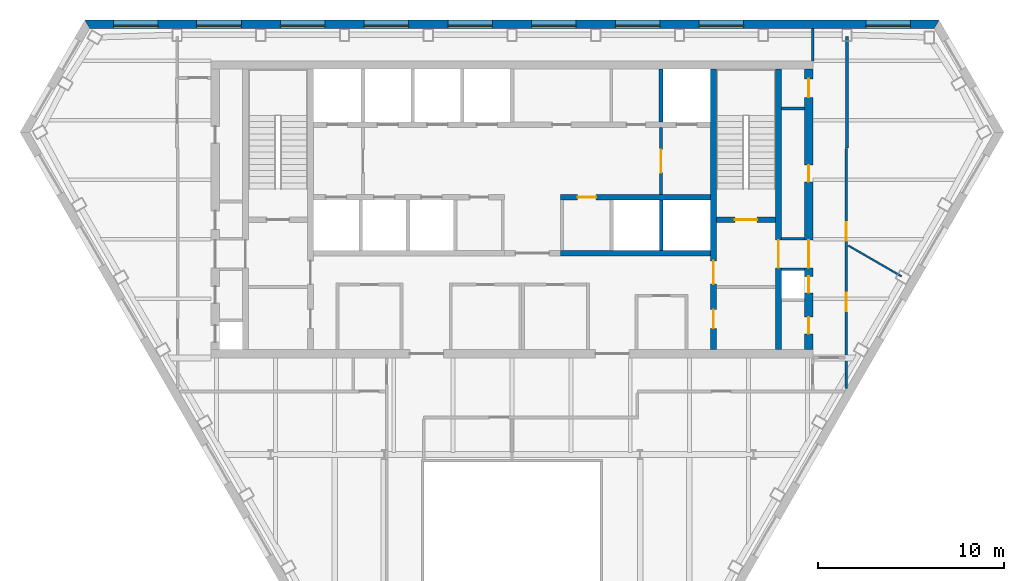
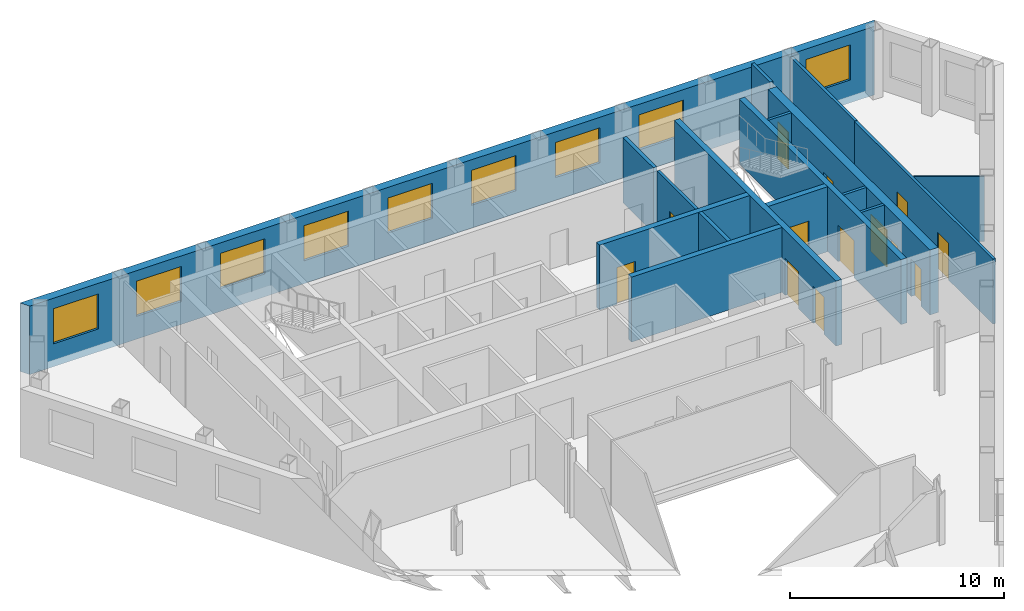
# One storey, part 7 of 11: 17 walls, 13 doors, 9 windows, 22 openings.
"""IFC4 building model written with IfcOpenShell, lengths in metres."""

from ifc_helpers import new_model, si_unit, direction, frame, frame_2d, origin, place, context, subcontext, project, spatial, polyline, rectangle, outline, extrude, material, layer, layer_set, type_object, element, fill, save


model = new_model("IFC4")

# Units and contexts
model_context = context("Model", 3, precision=1e-05, world=origin(), true_north=direction((0.0, 1.0)))
body_context = subcontext(model_context, "Body", "Model", "MODEL_VIEW")
ifc_project = project(units=[si_unit("LENGTHUNIT", "METRE"), si_unit("AREAUNIT", "SQUARE_METRE"), si_unit("VOLUMEUNIT", "CUBIC_METRE"), si_unit("PLANEANGLEUNIT", "RADIAN"), si_unit("MASSUNIT", "GRAM", prefix="KILO")], contexts=[model_context])

# Site, building, storey
site_placement = place(None, origin())
site = spatial("IfcSite", under=ifc_project, at=site_placement, CompositionType="ELEMENT")
building_placement = place(site_placement, origin())
building = spatial("IfcBuilding", under=site, at=building_placement, Name="Njiva Tower", CompositionType="ELEMENT")
storey_placement = place(building_placement, frame((0.0, 0.0, 219.9)))
storey = spatial("IfcBuildingStorey", under=building, at=storey_placement, Name="L49", CompositionType="ELEMENT", Elevation=219.9)

# Wall
ifc_material_1 = material(Name="Blockwork", Category="masonry")
ifc_layer_1 = layer(ifc_material_1, 0.15)
ifc_layer_set_1 = layer_set([ifc_layer_1], Name="Blockwork")
wall_type_1 = type_object("IfcWallType", Name="WT1 Compartment partition 150", PredefinedType="PARTITIONING", material=ifc_layer_set_1)
wall_1_placement = place(storey_placement, frame((14.5, 15.4331, 0.0), z_axis=(0.0, 0.0, 1.0), x_axis=(1.0, 0.0, 0.0)))
element("IfcWall", 1, at=wall_1_placement, inside=storey, type_object=wall_type_1, Name="Partition strip E10", PredefinedType="PARTITIONING", context=body_context, shape_type="SweptSolid", body=[
    extrude(rectangle(XDim=1.25, YDim=0.15, at=frame_2d((0.625, 0.0))), origin(), (0.0, 0.0, 1.0), 3.7),
])

# Wall, openings, doors
ifc_material_2 = material(Name="Concrete C40/50", Category="concrete")
ifc_layer_2 = layer(ifc_material_2, 0.3)
ifc_layer_set_2 = layer_set([ifc_layer_2], Name="Concrete C40/50")
wall_type_2 = type_object("IfcWallType", Name="WT10 Stair enclosure wall 300", PredefinedType="SHEAR", material=ifc_layer_set_2)
wall_2_placement = place(storey_placement, frame((10.85, 2.45, 0.0), z_axis=(0.0, 0.0, 1.0), x_axis=(0.0, 1.0, 0.0)))
wall_2 = element("IfcWall", 2, at=wall_2_placement, inside=storey, type_object=wall_type_2, Name="Stair wall east inner", PredefinedType="SHEAR", context=body_context, shape_type="SweptSolid", body=[
    extrude(rectangle(XDim=15.1, YDim=0.3, at=frame_2d((7.55, 0.0))), origin(), (0.0, 0.0, 1.0), 3.7),
])
opening_1_placement = place(wall_2_placement, frame((3.525, 0.0, 0.0)))
opening_1 = element("IfcOpeningElement", 3, at=opening_1_placement, cuts=wall_2, Name="Opening S16-D919", PredefinedType="OPENING", context=body_context, shape_type="SweptSolid", body=[
    extrude(rectangle(XDim=1.25, YDim=2.1, at=frame_2d((0.625, 1.05))), frame((0.0, 0.16, 0.0), z_axis=(0.0, -1.0, 0.0), x_axis=(1.0, 0.0, 0.0)), (0.0, 0.0, 1.0), 0.32),
])
opening_2_placement = place(wall_2_placement, frame((1.15, 0.0, 0.0)))
opening_2 = element("IfcOpeningElement", 4, at=opening_2_placement, cuts=wall_2, Name="Opening S16-D920", PredefinedType="OPENING", context=body_context, shape_type="SweptSolid", body=[
    extrude(rectangle(XDim=1.0, YDim=2.1, at=frame_2d((0.5, 1.05))), frame((0.0, 0.16, 0.0), z_axis=(0.0, -1.0, 0.0), x_axis=(1.0, 0.0, 0.0)), (0.0, 0.0, 1.0), 0.32),
])
ifc_material_3 = material(Name="Steel door, painted", Category="steel")
door_type_1 = type_object("IfcDoorType", Name="D5 Steel door 1000x2100", OperationType="SINGLE_SWING_LEFT", PredefinedType="DOOR", material=ifc_material_3)
door_1_placement = place(opening_2_placement, origin())
door_1 = element("IfcDoor", 5, at=door_1_placement, inside=storey, type_object=door_type_1, Name="Reading room door", OperationType="SINGLE_SWING_LEFT", OverallHeight=2.1, OverallWidth=1.0, PredefinedType="DOOR", context=body_context, shape_type="SweptSolid", body=[
    extrude(rectangle(XDim=1.0, YDim=2.1, at=frame_2d((0.5, 1.05))), frame((0.0, 0.025, 0.0), z_axis=(0.0, -1.0, 0.0), x_axis=(1.0, 0.0, 0.0)), (0.0, 0.0, 1.0), 0.05),
])
fill(opening_2, door_1)
ifc_material_4 = material(Name="Glazed steel fire door", Category="steel")
door_type_2 = type_object("IfcDoorType", Name="D8 Vestibule corridor door 1250x2100 glazed", OperationType="SINGLE_SWING_LEFT", PredefinedType="DOOR", material=ifc_material_4)
door_2_placement = place(opening_1_placement, origin())
door_2 = element("IfcDoor", 6, at=door_2_placement, inside=storey, type_object=door_type_2, Name="Stair vestibule corridor door", OperationType="SINGLE_SWING_RIGHT", OverallHeight=2.1, OverallWidth=1.25, PredefinedType="DOOR", context=body_context, shape_type="SweptSolid", body=[
    extrude(rectangle(XDim=1.25, YDim=2.1, at=frame_2d((0.625, 1.05))), frame((0.0, 0.025, 0.0), z_axis=(0.0, -1.0, 0.0), x_axis=(1.0, 0.0, 0.0)), (0.0, 0.0, 1.0), 0.05),
])
fill(opening_1, door_2)

# Wall, opening, door
wall_3_placement = place(storey_placement, frame((14.35, 2.45, 0.0), z_axis=(0.0, 0.0, 1.0), x_axis=(0.0, 1.0, 0.0)))
wall_3 = element("IfcWall", 7, at=wall_3_placement, inside=storey, type_object=wall_type_2, Name="Stair wall east outer", PredefinedType="SHEAR", context=body_context, shape_type="SweptSolid", body=[
    extrude(rectangle(XDim=15.1, YDim=0.3, at=frame_2d((7.55, 0.0))), origin(), (0.0, 0.0, 1.0), 3.7),
])
opening_3_placement = place(wall_3_placement, frame((4.4, 0.0, 0.0)))
opening_3 = element("IfcOpeningElement", 8, at=opening_3_placement, cuts=wall_3, Name="Opening S16-D927", PredefinedType="OPENING", context=body_context, shape_type="SweptSolid", body=[
    extrude(rectangle(XDim=1.5, YDim=2.1, at=frame_2d((0.75, 1.05))), frame((0.0, 0.16, 0.0), z_axis=(0.0, -1.0, 0.0), x_axis=(1.0, 0.0, 0.0)), (0.0, 0.0, 1.0), 0.32),
])
door_type_3 = type_object("IfcDoorType", Name="D10 Exit door double 1500x2100 glazed", OperationType="DOUBLE_DOOR_SINGLE_SWING", PredefinedType="DOOR", material=ifc_material_4)
door_3_placement = place(opening_3_placement, origin())
door_3 = element("IfcDoor", 9, at=door_3_placement, inside=storey, type_object=door_type_3, Name="Stair B passage door", OperationType="DOUBLE_DOOR_SINGLE_SWING", OverallHeight=2.1, OverallWidth=1.5, PredefinedType="DOOR", context=body_context, shape_type="SweptSolid", body=[
    extrude(rectangle(XDim=1.5, YDim=2.1, at=frame_2d((0.75, 1.05))), frame((0.0, 0.025, 0.0), z_axis=(0.0, -1.0, 0.0), x_axis=(1.0, 0.0, 0.0)), (0.0, 0.0, 1.0), 0.05),
])
fill(opening_3, door_3)

wall_4_placement = place(storey_placement, frame((11.0, 9.45, 0.0), z_axis=(0.0, 0.0, 1.0), x_axis=(1.0, 0.0, 0.0)))
wall_4 = element("IfcWall", 10, at=wall_4_placement, inside=storey, type_object=wall_type_2, Name="Stair B south wall", PredefinedType="SHEAR", context=body_context, shape_type="SweptSolid", body=[
    extrude(rectangle(XDim=3.2, YDim=0.3, at=frame_2d((1.6, 0.0))), origin(), (0.0, 0.0, 1.0), 3.7),
])
opening_4_placement = place(wall_4_placement, frame((1.0, 0.0, 0.0)))
opening_4 = element("IfcOpeningElement", 11, at=opening_4_placement, cuts=wall_4, Name="Opening S16-D918", PredefinedType="OPENING", context=body_context, shape_type="SweptSolid", body=[
    extrude(rectangle(XDim=1.2, YDim=2.1, at=frame_2d((0.6, 1.05))), frame((0.0, 0.16, 0.0), z_axis=(0.0, -1.0, 0.0), x_axis=(1.0, 0.0, 0.0)), (0.0, 0.0, 1.0), 0.32),
])
door_type_4 = type_object("IfcDoorType", Name="D7 Stair vestibule door 1200x2100 glazed", OperationType="SINGLE_SWING_LEFT", PredefinedType="DOOR", material=ifc_material_4)
door_4_placement = place(opening_4_placement, origin())
door_4 = element("IfcDoor", 12, at=door_4_placement, inside=storey, type_object=door_type_4, Name="Stair B door", OperationType="SINGLE_SWING_LEFT", OverallHeight=2.1, OverallWidth=1.2, PredefinedType="DOOR", context=body_context, shape_type="SweptSolid", body=[
    extrude(rectangle(XDim=1.2, YDim=2.1, at=frame_2d((0.6, 1.05))), frame((0.0, 0.025, 0.0), z_axis=(0.0, -1.0, 0.0), x_axis=(1.0, 0.0, 0.0)), (0.0, 0.0, 1.0), 0.05),
])
fill(opening_4, door_4)

# Wall, openings, doors
ifc_material_5 = material(Name="Concrete C60/75", Category="concrete")
ifc_layer_3 = layer(ifc_material_5, 0.45)
ifc_layer_set_3 = layer_set([ifc_layer_3], Name="Concrete C60/75")
wall_type_3 = type_object("IfcWallType", Name="WT12 Core wall 450", PredefinedType="SHEAR", material=ifc_layer_set_3)
wall_5_placement = place(storey_placement, frame((15.975, 2.45, 0.0), z_axis=(0.0, 0.0, 1.0), x_axis=(0.0, 1.0, 0.0)))
wall_5 = element("IfcWall", 13, at=wall_5_placement, inside=storey, type_object=wall_type_3, Name="Core wall east", PredefinedType="SHEAR", context=body_context, shape_type="SweptSolid", body=[
    extrude(rectangle(XDim=15.1, YDim=0.45, at=frame_2d((7.55, 0.0))), origin(), (0.0, 0.0, 1.0), 3.7),
])
opening_5_placement = place(wall_5_placement, frame((4.4, 0.0, 0.0)))
opening_5 = element("IfcOpeningElement", 14, at=opening_5_placement, cuts=wall_5, Name="Opening S16-D928", PredefinedType="OPENING", context=body_context, shape_type="SweptSolid", body=[
    extrude(rectangle(XDim=1.5, YDim=2.1, at=frame_2d((0.75, 1.05))), frame((0.0, 0.235, 0.0), z_axis=(0.0, -1.0, 0.0), x_axis=(1.0, 0.0, 0.0)), (0.0, 0.0, 1.0), 0.47),
])
opening_6_placement = place(wall_5_placement, frame((0.85, 0.0, 0.0)))
opening_6 = element("IfcOpeningElement", 15, at=opening_6_placement, cuts=wall_5, Name="Opening S16-D929", PredefinedType="OPENING", context=body_context, shape_type="SweptSolid", body=[
    extrude(rectangle(XDim=0.9, YDim=2.1, at=frame_2d((0.45, 1.05))), frame((0.0, 0.235, 0.0), z_axis=(0.0, -1.0, 0.0), x_axis=(1.0, 0.0, 0.0)), (0.0, 0.0, 1.0), 0.47),
])
opening_7_placement = place(wall_5_placement, frame((3.05, 0.0, 0.0)))
opening_7 = element("IfcOpeningElement", 16, at=opening_7_placement, cuts=wall_5, Name="Opening S16-D930", PredefinedType="OPENING", context=body_context, shape_type="SweptSolid", body=[
    extrude(rectangle(XDim=0.9, YDim=2.1, at=frame_2d((0.45, 1.05))), frame((0.0, 0.235, 0.0), z_axis=(0.0, -1.0, 0.0), x_axis=(1.0, 0.0, 0.0)), (0.0, 0.0, 1.0), 0.47),
])
opening_8_placement = place(wall_5_placement, frame((9.0291, 0.0, 0.0)))
opening_8 = element("IfcOpeningElement", 17, at=opening_8_placement, cuts=wall_5, Name="Opening S16-D931", PredefinedType="OPENING", context=body_context, shape_type="SweptSolid", body=[
    extrude(rectangle(XDim=0.9, YDim=2.1, at=frame_2d((0.45, 1.05))), frame((0.0, 0.235, 0.0), z_axis=(0.0, -1.0, 0.0), x_axis=(1.0, 0.0, 0.0)), (0.0, 0.0, 1.0), 0.47),
])
opening_9_placement = place(wall_5_placement, frame((13.5791, 0.0, 0.0)))
opening_9 = element("IfcOpeningElement", 18, at=opening_9_placement, cuts=wall_5, Name="Opening S16-D932", PredefinedType="OPENING", context=body_context, shape_type="SweptSolid", body=[
    extrude(rectangle(XDim=1.0, YDim=2.1, at=frame_2d((0.5, 1.05))), frame((0.0, 0.235, 0.0), z_axis=(0.0, -1.0, 0.0), x_axis=(1.0, 0.0, 0.0)), (0.0, 0.0, 1.0), 0.47),
])
door_5_placement = place(opening_5_placement, origin())
door_5 = element("IfcDoor", 19, at=door_5_placement, inside=storey, type_object=door_type_3, Name="Stair B corridor door", OperationType="DOUBLE_DOOR_SINGLE_SWING", OverallHeight=2.1, OverallWidth=1.5, PredefinedType="DOOR", context=body_context, shape_type="SweptSolid", body=[
    extrude(rectangle(XDim=1.5, YDim=2.1, at=frame_2d((0.75, 1.05))), frame((0.0, 0.025, 0.0), z_axis=(0.0, -1.0, 0.0), x_axis=(1.0, 0.0, 0.0)), (0.0, 0.0, 1.0), 0.05),
])
fill(opening_5, door_5)
door_type_5 = type_object("IfcDoorType", Name="D4 Riser door 900x2100", OperationType="SINGLE_SWING_LEFT", PredefinedType="DOOR", material=ifc_material_3)
door_6_placement = place(opening_7_placement, origin())
door_6 = element("IfcDoor", 20, at=door_6_placement, inside=storey, type_object=door_type_5, Name="Cable riser door", OperationType="SINGLE_SWING_LEFT", OverallHeight=2.1, OverallWidth=0.9, PredefinedType="DOOR", context=body_context, shape_type="SweptSolid", body=[
    extrude(rectangle(XDim=0.9, YDim=2.1, at=frame_2d((0.45, 1.05))), frame((0.0, 0.025, 0.0), z_axis=(0.0, -1.0, 0.0), x_axis=(1.0, 0.0, 0.0)), (0.0, 0.0, 1.0), 0.05),
])
fill(opening_7, door_6)
door_7_placement = place(opening_9_placement, origin())
door_7 = element("IfcDoor", 21, at=door_7_placement, inside=storey, type_object=door_type_1, Name="Telecoms room door", OperationType="SINGLE_SWING_RIGHT", OverallHeight=2.1, OverallWidth=1.0, PredefinedType="DOOR", context=body_context, shape_type="SweptSolid", body=[
    extrude(rectangle(XDim=1.0, YDim=2.1, at=frame_2d((0.5, 1.05))), frame((0.0, 0.025, 0.0), z_axis=(0.0, -1.0, 0.0), x_axis=(1.0, 0.0, 0.0)), (0.0, 0.0, 1.0), 0.05),
])
fill(opening_9, door_7)
ifc_material_6 = material(Name="Steel fire door, painted", Category="steel")
door_type_6 = type_object("IfcDoorType", Name="D6 Fire-rated door 900x2100", OperationType="SINGLE_SWING_LEFT", PredefinedType="DOOR", material=ifc_material_6)
door_8_placement = place(opening_6_placement, origin())
door_8 = element("IfcDoor", 22, at=door_8_placement, inside=storey, type_object=door_type_6, Name="Cable store door", OperationType="SINGLE_SWING_LEFT", OverallHeight=2.1, OverallWidth=0.9, PredefinedType="DOOR", context=body_context, shape_type="SweptSolid", body=[
    extrude(rectangle(XDim=0.9, YDim=2.1, at=frame_2d((0.45, 1.05))), frame((0.0, 0.025, 0.0), z_axis=(0.0, -1.0, 0.0), x_axis=(1.0, 0.0, 0.0)), (0.0, 0.0, 1.0), 0.05),
])
fill(opening_6, door_8)
door_9_placement = place(opening_8_placement, origin())
door_9 = element("IfcDoor", 23, at=door_9_placement, inside=storey, type_object=door_type_6, Name="Cable store door", OperationType="SINGLE_SWING_RIGHT", OverallHeight=2.1, OverallWidth=0.9, PredefinedType="DOOR", context=body_context, shape_type="SweptSolid", body=[
    extrude(rectangle(XDim=0.9, YDim=2.1, at=frame_2d((0.45, 1.05))), frame((0.0, 0.025, 0.0), z_axis=(0.0, -1.0, 0.0), x_axis=(1.0, 0.0, 0.0)), (0.0, 0.0, 1.0), 0.05),
])
fill(opening_8, door_9)

# Wall, opening, door
ifc_layer_4 = layer(ifc_material_1, 0.15)
ifc_layer_set_4 = layer_set([ifc_layer_4], Name="Blockwork")
wall_type_4 = type_object("IfcWallType", Name="WT2 Lobby partition 150", PredefinedType="PARTITIONING", material=ifc_layer_set_4)
wall_6_placement = place(storey_placement, frame((8.025, 10.8, 0.0), z_axis=(0.0, 0.0, 1.0), x_axis=(0.0, 1.0, 0.0)))
wall_6 = element("IfcWall", 24, at=wall_6_placement, inside=storey, type_object=wall_type_4, Name="Firefighting lobby wall B", PredefinedType="PARTITIONING", context=body_context, shape_type="SweptSolid", body=[
    extrude(rectangle(XDim=3.6, YDim=0.15, at=frame_2d((1.8, 0.0))), origin(), (0.0, 0.0, 1.0), 3.7),
])
opening_10_placement = place(wall_6_placement, frame((1.175, 0.0, 0.0)))
opening_10 = element("IfcOpeningElement", 25, at=opening_10_placement, cuts=wall_6, Name="Opening S16-D917", PredefinedType="OPENING", context=body_context, shape_type="SweptSolid", body=[
    extrude(rectangle(XDim=1.25, YDim=2.1, at=frame_2d((0.625, 1.05))), frame((0.0, 0.085, 0.0), z_axis=(0.0, -1.0, 0.0), x_axis=(1.0, 0.0, 0.0)), (0.0, 0.0, 1.0), 0.17),
])
door_10_placement = place(opening_10_placement, origin())
door_10 = element("IfcDoor", 26, at=door_10_placement, inside=storey, type_object=door_type_2, Name="Stair vestibule corridor door", OperationType="SINGLE_SWING_LEFT", OverallHeight=2.1, OverallWidth=1.25, PredefinedType="DOOR", context=body_context, shape_type="SweptSolid", body=[
    extrude(rectangle(XDim=1.25, YDim=2.1, at=frame_2d((0.625, 1.05))), frame((0.0, 0.025, 0.0), z_axis=(0.0, -1.0, 0.0), x_axis=(1.0, 0.0, 0.0)), (0.0, 0.0, 1.0), 0.05),
])
fill(opening_10, door_10)

# Walls
ifc_material_7 = material(Name="Gypsum board on steel studs", Category="gypsum")
ifc_layer_5 = layer(ifc_material_7, 0.1)
ifc_layer_set_5 = layer_set([ifc_layer_5], Name="Gypsum board on steel studs")
wall_type_5 = type_object("IfcWallType", Name="WT20 Gypsum partition 100", PredefinedType="PARTITIONING", material=ifc_layer_set_5)
wall_7_placement = place(storey_placement, frame((18.102, 8.056, 0.0), z_axis=(0.0, 0.0, 1.0), x_axis=(0.865934672737, -0.500157117865, 0.0)))
element("IfcWall", 27, at=wall_7_placement, inside=storey, type_object=wall_type_5, Name="Partition S16-P027", PredefinedType="PARTITIONING", context=body_context, shape_type="SweptSolid", body=[
    extrude(rectangle(XDim=3.319, YDim=0.1, at=frame_2d((1.6595, 0.0))), origin(), (0.0, 0.0, 1.0), 3.7),
])
ifc_layer_6 = layer(ifc_material_7, 0.15)
ifc_layer_set_6 = layer_set([ifc_layer_6], Name="Gypsum board on steel studs")
wall_type_6 = type_object("IfcWallType", Name="WT21 Compartment wall 150", PredefinedType="PARTITIONING", material=ifc_layer_set_6)
wall_8_placement = place(storey_placement, frame((16.2, 18.0, 0.0), z_axis=(0.0, 0.0, 1.0), x_axis=(0.0, 1.0, 0.0)))
element("IfcWall", 28, at=wall_8_placement, inside=storey, type_object=wall_type_6, Name="Partition S16-P024", PredefinedType="PARTITIONING", context=body_context, shape_type="SweptSolid", body=[
    extrude(rectangle(XDim=1.75, YDim=0.15, at=frame_2d((0.875, 0.0))), origin(), (0.0, 0.0, 1.0), 3.7),
])

# Wall, openings, doors
wall_9_placement = place(storey_placement, frame((18.001, 0.343, 0.0), z_axis=(0.0, 0.0, 1.0), x_axis=(7.7291699e-05, 0.999999997013, 0.0)))
wall_9 = element("IfcWall", 29, at=wall_9_placement, inside=storey, type_object=wall_type_6, Name="Partition S16-P025", PredefinedType="PARTITIONING", context=body_context, shape_type="SweptSolid", body=[
    extrude(rectangle(XDim=12.938, YDim=0.15, at=frame_2d((6.469, 0.0))), origin(), (0.0, 0.0, 1.0), 3.7),
])
opening_11_placement = place(wall_9_placement, frame((4.163, 0.0, 0.0)))
opening_11 = element("IfcOpeningElement", 30, at=opening_11_placement, cuts=wall_9, Name="Opening S16-D014", PredefinedType="OPENING", context=body_context, shape_type="SweptSolid", body=[
    extrude(rectangle(XDim=1.0, YDim=2.1, at=frame_2d((0.5, 1.05))), frame((0.0, 0.085, 0.0), z_axis=(0.0, -1.0, 0.0), x_axis=(1.0, 0.0, 0.0)), (0.0, 0.0, 1.0), 0.17),
])
opening_12_placement = place(wall_9_placement, frame((7.973, 0.0, 0.0)))
opening_12 = element("IfcOpeningElement", 31, at=opening_12_placement, cuts=wall_9, Name="Opening S16-D015", PredefinedType="OPENING", context=body_context, shape_type="SweptSolid", body=[
    extrude(rectangle(XDim=1.0, YDim=2.1, at=frame_2d((0.5, 1.05))), frame((0.0, 0.085, 0.0), z_axis=(0.0, -1.0, 0.0), x_axis=(1.0, 0.0, 0.0)), (0.0, 0.0, 1.0), 0.17),
])
ifc_material_8 = material(Name="Steel fire door set", Category="steel")
door_type_7 = type_object("IfcDoorType", Name="D37 Fire door 1000x2100", OperationType="SINGLE_SWING_LEFT", PredefinedType="DOOR", material=ifc_material_8)
door_11_placement = place(opening_11_placement, origin())
door_11 = element("IfcDoor", 32, at=door_11_placement, inside=storey, type_object=door_type_7, Name="Door S16-D014", OperationType="SINGLE_SWING_LEFT", OverallHeight=2.1, OverallWidth=1.0, PredefinedType="DOOR", context=body_context, shape_type="SweptSolid", body=[
    extrude(rectangle(XDim=1.0, YDim=2.1, at=frame_2d((0.5, 1.05))), frame((0.0, 0.025, 0.0), z_axis=(0.0, -1.0, 0.0), x_axis=(1.0, 0.0, 0.0)), (0.0, 0.0, 1.0), 0.05),
])
fill(opening_11, door_11)
door_12_placement = place(opening_12_placement, origin())
door_12 = element("IfcDoor", 33, at=door_12_placement, inside=storey, type_object=door_type_7, Name="Door S16-D015", OperationType="SINGLE_SWING_RIGHT", OverallHeight=2.1, OverallWidth=1.0, PredefinedType="DOOR", context=body_context, shape_type="SweptSolid", body=[
    extrude(rectangle(XDim=1.0, YDim=2.1, at=frame_2d((0.5, 1.05))), frame((0.0, 0.025, 0.0), z_axis=(0.0, -1.0, 0.0), x_axis=(1.0, 0.0, 0.0)), (0.0, 0.0, 1.0), 0.05),
])
fill(opening_12, door_12)

# Walls
wall_10_placement = place(storey_placement, frame((18.034, 13.3, 0.0), z_axis=(0.0, 0.0, 1.0), x_axis=(0.0, 1.0, 0.0)))
element("IfcWall", 34, at=wall_10_placement, inside=storey, type_object=wall_type_6, Name="Partition S16-P026", PredefinedType="PARTITIONING", context=body_context, shape_type="SweptSolid", body=[
    extrude(rectangle(XDim=6.0, YDim=0.15, at=frame_2d((3.0, 0.0))), origin(), (0.0, 0.0, 1.0), 3.7),
])
ifc_layer_7 = layer(ifc_material_1, 0.15)
ifc_layer_set_7 = layer_set([ifc_layer_7], Name="Blockwork")
wall_type_7 = type_object("IfcWallType", Name="WT4 Stair partition 150", PredefinedType="PARTITIONING", material=ifc_layer_set_7)
for number, where, z_axis, x_axis, name in (
    (35, (14.5, 6.775, 0.0), (0.0, 0.0, 1.0), (1.0, 0.0, 0.0), "Stair B exit passage wall south"),
    (36, (14.5, 8.425, 0.0), (0.0, 0.0, 1.0), (1.0, 0.0, 0.0), "Stair B exit passage wall north"),
):
    element("IfcWall", number, at=place(storey_placement, frame(where, z_axis=z_axis, x_axis=x_axis)), inside=storey, type_object=wall_type_7, Name=name, PredefinedType="PARTITIONING", context=body_context, shape_type="SweptSolid", body=[
        extrude(rectangle(XDim=1.25, YDim=0.15, at=frame_2d((0.625, 0.0))), origin(), (0.0, 0.0, 1.0), 3.7),
    ])
ifc_layer_8 = layer(ifc_material_2, 0.2)
ifc_layer_set_8 = layer_set([ifc_layer_8], Name="Concrete C40/50")
wall_type_8 = type_object("IfcWallType", Name="WT6 Lift shaft wall 200", PredefinedType="SHEAR", material=ifc_layer_set_8)
wall_11_placement = place(storey_placement, frame((8.025, 14.7, 0.0), z_axis=(0.0, 0.0, 1.0), x_axis=(0.0, 1.0, 0.0)))
element("IfcWall", 37, at=wall_11_placement, inside=storey, type_object=wall_type_8, Name="Shaft wall CN7", PredefinedType="SHEAR", context=body_context, shape_type="SweptSolid", body=[
    extrude(rectangle(XDim=2.85, YDim=0.2, at=frame_2d((1.425, 0.0))), origin(), (0.0, 0.0, 1.0), 3.7),
])
wall_12_placement = place(storey_placement, frame((8.0333, 7.8, 0.0), z_axis=(0.0, 0.0, 1.0), x_axis=(0.0, 1.0, 0.0)))
element("IfcWall", 38, at=wall_12_placement, inside=storey, type_object=wall_type_8, Name="Shaft wall CS7", PredefinedType="SHEAR", context=body_context, shape_type="SweptSolid", body=[
    extrude(rectangle(XDim=2.7, YDim=0.2, at=frame_2d((1.35, 0.0))), origin(), (0.0, 0.0, 1.0), 3.7),
])

# Wall, opening, door
ifc_layer_9 = layer(ifc_material_2, 0.3)
ifc_layer_set_9 = layer_set([ifc_layer_9], Name="Concrete C40/50")
wall_type_9 = type_object("IfcWallType", Name="WT7 Lift shaft wall 300", PredefinedType="SHEAR", material=ifc_layer_set_9)
wall_13_placement = place(storey_placement, frame((2.6, 10.65, 0.0), z_axis=(0.0, 0.0, 1.0), x_axis=(1.0, 0.0, 0.0)))
wall_13 = element("IfcWall", 39, at=wall_13_placement, inside=storey, type_object=wall_type_9, Name="Shaft wall south row lobby side E", PredefinedType="SHEAR", context=body_context, shape_type="SweptSolid", body=[
    extrude(rectangle(XDim=8.1, YDim=0.3, at=frame_2d((4.05, 0.0))), origin(), (0.0, 0.0, 1.0), 3.7),
])
opening_13_placement = place(wall_13_placement, frame((0.9334, 0.0, 0.0)))
opening_13 = element("IfcOpeningElement", 40, at=opening_13_placement, cuts=wall_13, Name="Opening S16-D912", PredefinedType="OPENING", context=body_context, shape_type="SweptSolid", body=[
    extrude(rectangle(XDim=1.0, YDim=2.1, at=frame_2d((0.5, 1.05))), frame((0.0, 0.16, 0.0), z_axis=(0.0, -1.0, 0.0), x_axis=(1.0, 0.0, 0.0)), (0.0, 0.0, 1.0), 0.32),
])
door_13_placement = place(opening_13_placement, origin())
door_13 = element("IfcDoor", 41, at=door_13_placement, inside=storey, type_object=door_type_1, Name="First aid room door", OperationType="SINGLE_SWING_LEFT", OverallHeight=2.1, OverallWidth=1.0, PredefinedType="DOOR", context=body_context, shape_type="SweptSolid", body=[
    extrude(rectangle(XDim=1.0, YDim=2.1, at=frame_2d((0.5, 1.05))), frame((0.0, 0.025, 0.0), z_axis=(0.0, -1.0, 0.0), x_axis=(1.0, 0.0, 0.0)), (0.0, 0.0, 1.0), 0.05),
])
fill(opening_13, door_13)

# Wall
wall_14_placement = place(storey_placement, frame((2.6, 7.65, 0.0), z_axis=(0.0, 0.0, 1.0), x_axis=(1.0, 0.0, 0.0)))
element("IfcWall", 42, at=wall_14_placement, inside=storey, type_object=wall_type_9, Name="Shaft wall south row back E", PredefinedType="SHEAR", context=body_context, shape_type="SweptSolid", body=[
    extrude(rectangle(XDim=8.1, YDim=0.3, at=frame_2d((4.05, 0.0))), origin(), (0.0, 0.0, 1.0), 3.7),
])

# Wall, openings, windows
ifc_material_9 = material(Name="Brick masonry", Category="masonry")
ifc_layer_10 = layer(ifc_material_9, 0.45)
ifc_layer_set_10 = layer_set([ifc_layer_10], Name="Brick masonry")
wall_type_10 = type_object("IfcWallType", Name="WT90 Brick pier and spandrel wall 450", PredefinedType="SOLIDWALL", material=ifc_layer_set_10)
wall_15_placement = place(storey_placement, frame((22.8751, 19.975, -0.4), z_axis=(0.0, 0.0, 1.0), x_axis=(-1.0, 0.0, 0.0)))
wall_15 = element("IfcWall", 43, at=wall_15_placement, inside=storey, type_object=wall_type_10, Name="Facade wall N", PredefinedType="SOLIDWALL", context=body_context, shape_type="SweptSolid", body=[
    extrude(outline(polyline([(-0.1299, -0.225), (45.8801, -0.225), (45.6203, 0.225), (0.1299, 0.225), (-0.1299, -0.225)])), origin(), (0.0, 0.0, 1.0), 3.9),
])
opening_14_placement = place(wall_15_placement, frame((1.4247, 0.0, 1.3)))
opening_14 = element("IfcOpeningElement", 44, at=opening_14_placement, cuts=wall_15, Name="Opening S16-W01", PredefinedType="OPENING", context=body_context, shape_type="SweptSolid", body=[
    extrude(rectangle(XDim=2.4, YDim=2.0, at=frame_2d((1.2, 1.0))), frame((0.0, 0.235, 0.0), z_axis=(0.0, -1.0, 0.0), x_axis=(1.0, 0.0, 0.0)), (0.0, 0.0, 1.0), 0.47),
])
opening_15_placement = place(wall_15_placement, frame((10.4035, 0.0, 1.3)))
opening_15 = element("IfcOpeningElement", 45, at=opening_15_placement, cuts=wall_15, Name="Opening S16-W02", PredefinedType="OPENING", context=body_context, shape_type="SweptSolid", body=[
    extrude(rectangle(XDim=2.4, YDim=2.0, at=frame_2d((1.2, 1.0))), frame((0.0, 0.235, 0.0), z_axis=(0.0, -1.0, 0.0), x_axis=(1.0, 0.0, 0.0)), (0.0, 0.0, 1.0), 0.47),
])
opening_16_placement = place(wall_15_placement, frame((14.9122, 0.0, 1.3)))
opening_16 = element("IfcOpeningElement", 46, at=opening_16_placement, cuts=wall_15, Name="Opening S16-W03", PredefinedType="OPENING", context=body_context, shape_type="SweptSolid", body=[
    extrude(rectangle(XDim=2.4, YDim=2.0, at=frame_2d((1.2, 1.0))), frame((0.0, 0.235, 0.0), z_axis=(0.0, -1.0, 0.0), x_axis=(1.0, 0.0, 0.0)), (0.0, 0.0, 1.0), 0.47),
])
opening_17_placement = place(wall_15_placement, frame((19.4208, 0.0, 1.3)))
opening_17 = element("IfcOpeningElement", 47, at=opening_17_placement, cuts=wall_15, Name="Opening S16-W04", PredefinedType="OPENING", context=body_context, shape_type="SweptSolid", body=[
    extrude(rectangle(XDim=2.4, YDim=2.0, at=frame_2d((1.2, 1.0))), frame((0.0, 0.235, 0.0), z_axis=(0.0, -1.0, 0.0), x_axis=(1.0, 0.0, 0.0)), (0.0, 0.0, 1.0), 0.47),
])
opening_18_placement = place(wall_15_placement, frame((23.9294, 0.0, 1.3)))
opening_18 = element("IfcOpeningElement", 48, at=opening_18_placement, cuts=wall_15, Name="Opening S16-W05", PredefinedType="OPENING", context=body_context, shape_type="SweptSolid", body=[
    extrude(rectangle(XDim=2.4, YDim=2.0, at=frame_2d((1.2, 1.0))), frame((0.0, 0.235, 0.0), z_axis=(0.0, -1.0, 0.0), x_axis=(1.0, 0.0, 0.0)), (0.0, 0.0, 1.0), 0.47),
])
opening_19_placement = place(wall_15_placement, frame((28.438, 0.0, 1.3)))
opening_19 = element("IfcOpeningElement", 49, at=opening_19_placement, cuts=wall_15, Name="Opening S16-W06", PredefinedType="OPENING", context=body_context, shape_type="SweptSolid", body=[
    extrude(rectangle(XDim=2.4, YDim=2.0, at=frame_2d((1.2, 1.0))), frame((0.0, 0.235, 0.0), z_axis=(0.0, -1.0, 0.0), x_axis=(1.0, 0.0, 0.0)), (0.0, 0.0, 1.0), 0.47),
])
opening_20_placement = place(wall_15_placement, frame((32.9466, 0.0, 1.3)))
opening_20 = element("IfcOpeningElement", 50, at=opening_20_placement, cuts=wall_15, Name="Opening S16-W07", PredefinedType="OPENING", context=body_context, shape_type="SweptSolid", body=[
    extrude(rectangle(XDim=2.4, YDim=2.0, at=frame_2d((1.2, 1.0))), frame((0.0, 0.235, 0.0), z_axis=(0.0, -1.0, 0.0), x_axis=(1.0, 0.0, 0.0)), (0.0, 0.0, 1.0), 0.47),
])
opening_21_placement = place(wall_15_placement, frame((37.4553, 0.0, 1.3)))
opening_21 = element("IfcOpeningElement", 51, at=opening_21_placement, cuts=wall_15, Name="Opening S16-W08", PredefinedType="OPENING", context=body_context, shape_type="SweptSolid", body=[
    extrude(rectangle(XDim=2.4, YDim=2.0, at=frame_2d((1.2, 1.0))), frame((0.0, 0.235, 0.0), z_axis=(0.0, -1.0, 0.0), x_axis=(1.0, 0.0, 0.0)), (0.0, 0.0, 1.0), 0.47),
])
opening_22_placement = place(wall_15_placement, frame((41.9255, 0.0, 1.3)))
opening_22 = element("IfcOpeningElement", 52, at=opening_22_placement, cuts=wall_15, Name="Opening S16-W09", PredefinedType="OPENING", context=body_context, shape_type="SweptSolid", body=[
    extrude(rectangle(XDim=2.4, YDim=2.0, at=frame_2d((1.2, 1.0))), frame((0.0, 0.235, 0.0), z_axis=(0.0, -1.0, 0.0), x_axis=(1.0, 0.0, 0.0)), (0.0, 0.0, 1.0), 0.47),
])
ifc_material_10 = material(Name="Clear glazing in aluminium frame", Category="aluminium")
window_type = type_object("IfcWindowType", Name="W90 Deep-set window 2400x2000", PartitioningType="SINGLE_PANEL", PredefinedType="WINDOW", material=ifc_material_10)
window_1_placement = place(opening_14_placement, origin())
window_1 = element("IfcWindow", 53, at=window_1_placement, inside=storey, type_object=window_type, Name="Window", OverallHeight=2.0, OverallWidth=2.4, PartitioningType="SINGLE_PANEL", PredefinedType="WINDOW", context=body_context, shape_type="SweptSolid", body=[
    extrude(rectangle(XDim=2.4, YDim=2.0, at=frame_2d((1.2, 1.0))), frame((0.0, 0.105, 0.0), z_axis=(0.0, -1.0, 0.0), x_axis=(1.0, 0.0, 0.0)), (0.0, 0.0, 1.0), 0.06),
])
fill(opening_14, window_1)
window_2_placement = place(opening_15_placement, origin())
window_2 = element("IfcWindow", 54, at=window_2_placement, inside=storey, type_object=window_type, Name="Window", OverallHeight=2.0, OverallWidth=2.4, PartitioningType="SINGLE_PANEL", PredefinedType="WINDOW", context=body_context, shape_type="SweptSolid", body=[
    extrude(rectangle(XDim=2.4, YDim=2.0, at=frame_2d((1.2, 1.0))), frame((0.0, 0.105, 0.0), z_axis=(0.0, -1.0, 0.0), x_axis=(1.0, 0.0, 0.0)), (0.0, 0.0, 1.0), 0.06),
])
fill(opening_15, window_2)
window_3_placement = place(opening_16_placement, origin())
window_3 = element("IfcWindow", 55, at=window_3_placement, inside=storey, type_object=window_type, Name="Window", OverallHeight=2.0, OverallWidth=2.4, PartitioningType="SINGLE_PANEL", PredefinedType="WINDOW", context=body_context, shape_type="SweptSolid", body=[
    extrude(rectangle(XDim=2.4, YDim=2.0, at=frame_2d((1.2, 1.0))), frame((0.0, 0.105, 0.0), z_axis=(0.0, -1.0, 0.0), x_axis=(1.0, 0.0, 0.0)), (0.0, 0.0, 1.0), 0.06),
])
fill(opening_16, window_3)
window_4_placement = place(opening_17_placement, origin())
window_4 = element("IfcWindow", 56, at=window_4_placement, inside=storey, type_object=window_type, Name="Window", OverallHeight=2.0, OverallWidth=2.4, PartitioningType="SINGLE_PANEL", PredefinedType="WINDOW", context=body_context, shape_type="SweptSolid", body=[
    extrude(rectangle(XDim=2.4, YDim=2.0, at=frame_2d((1.2, 1.0))), frame((0.0, 0.105, 0.0), z_axis=(0.0, -1.0, 0.0), x_axis=(1.0, 0.0, 0.0)), (0.0, 0.0, 1.0), 0.06),
])
fill(opening_17, window_4)
window_5_placement = place(opening_18_placement, origin())
window_5 = element("IfcWindow", 57, at=window_5_placement, inside=storey, type_object=window_type, Name="Window", OverallHeight=2.0, OverallWidth=2.4, PartitioningType="SINGLE_PANEL", PredefinedType="WINDOW", context=body_context, shape_type="SweptSolid", body=[
    extrude(rectangle(XDim=2.4, YDim=2.0, at=frame_2d((1.2, 1.0))), frame((0.0, 0.105, 0.0), z_axis=(0.0, -1.0, 0.0), x_axis=(1.0, 0.0, 0.0)), (0.0, 0.0, 1.0), 0.06),
])
fill(opening_18, window_5)
window_6_placement = place(opening_19_placement, origin())
window_6 = element("IfcWindow", 58, at=window_6_placement, inside=storey, type_object=window_type, Name="Window", OverallHeight=2.0, OverallWidth=2.4, PartitioningType="SINGLE_PANEL", PredefinedType="WINDOW", context=body_context, shape_type="SweptSolid", body=[
    extrude(rectangle(XDim=2.4, YDim=2.0, at=frame_2d((1.2, 1.0))), frame((0.0, 0.105, 0.0), z_axis=(0.0, -1.0, 0.0), x_axis=(1.0, 0.0, 0.0)), (0.0, 0.0, 1.0), 0.06),
])
fill(opening_19, window_6)
window_7_placement = place(opening_20_placement, origin())
window_7 = element("IfcWindow", 59, at=window_7_placement, inside=storey, type_object=window_type, Name="Window", OverallHeight=2.0, OverallWidth=2.4, PartitioningType="SINGLE_PANEL", PredefinedType="WINDOW", context=body_context, shape_type="SweptSolid", body=[
    extrude(rectangle(XDim=2.4, YDim=2.0, at=frame_2d((1.2, 1.0))), frame((0.0, 0.105, 0.0), z_axis=(0.0, -1.0, 0.0), x_axis=(1.0, 0.0, 0.0)), (0.0, 0.0, 1.0), 0.06),
])
fill(opening_20, window_7)
window_8_placement = place(opening_21_placement, origin())
window_8 = element("IfcWindow", 60, at=window_8_placement, inside=storey, type_object=window_type, Name="Window", OverallHeight=2.0, OverallWidth=2.4, PartitioningType="SINGLE_PANEL", PredefinedType="WINDOW", context=body_context, shape_type="SweptSolid", body=[
    extrude(rectangle(XDim=2.4, YDim=2.0, at=frame_2d((1.2, 1.0))), frame((0.0, 0.105, 0.0), z_axis=(0.0, -1.0, 0.0), x_axis=(1.0, 0.0, 0.0)), (0.0, 0.0, 1.0), 0.06),
])
fill(opening_21, window_8)
window_9_placement = place(opening_22_placement, origin())
window_9 = element("IfcWindow", 61, at=window_9_placement, inside=storey, type_object=window_type, Name="Window", OverallHeight=2.0, OverallWidth=2.4, PartitioningType="SINGLE_PANEL", PredefinedType="WINDOW", context=body_context, shape_type="SweptSolid", body=[
    extrude(rectangle(XDim=2.4, YDim=2.0, at=frame_2d((1.2, 1.0))), frame((0.0, 0.105, 0.0), z_axis=(0.0, -1.0, 0.0), x_axis=(1.0, 0.0, 0.0)), (0.0, 0.0, 1.0), 0.06),
])
fill(opening_22, window_9)

save(model, "model.ifc")
